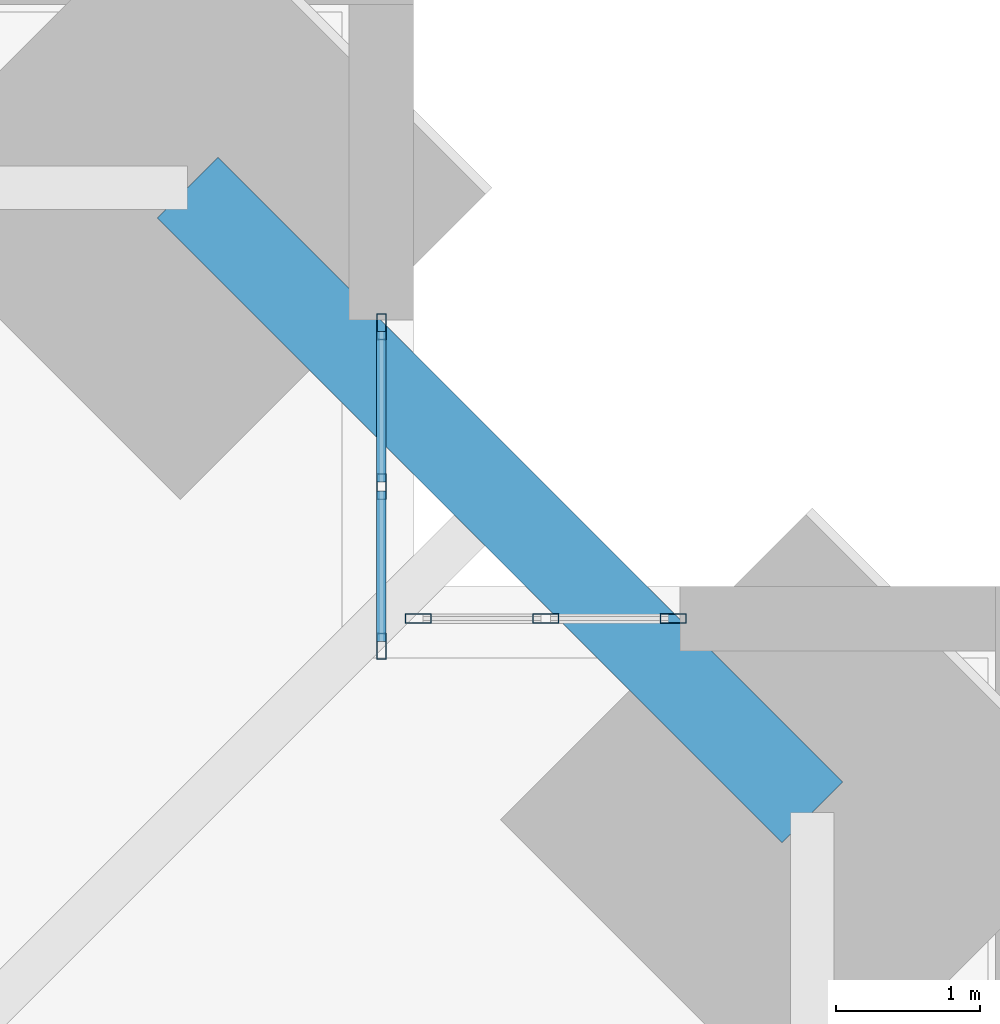
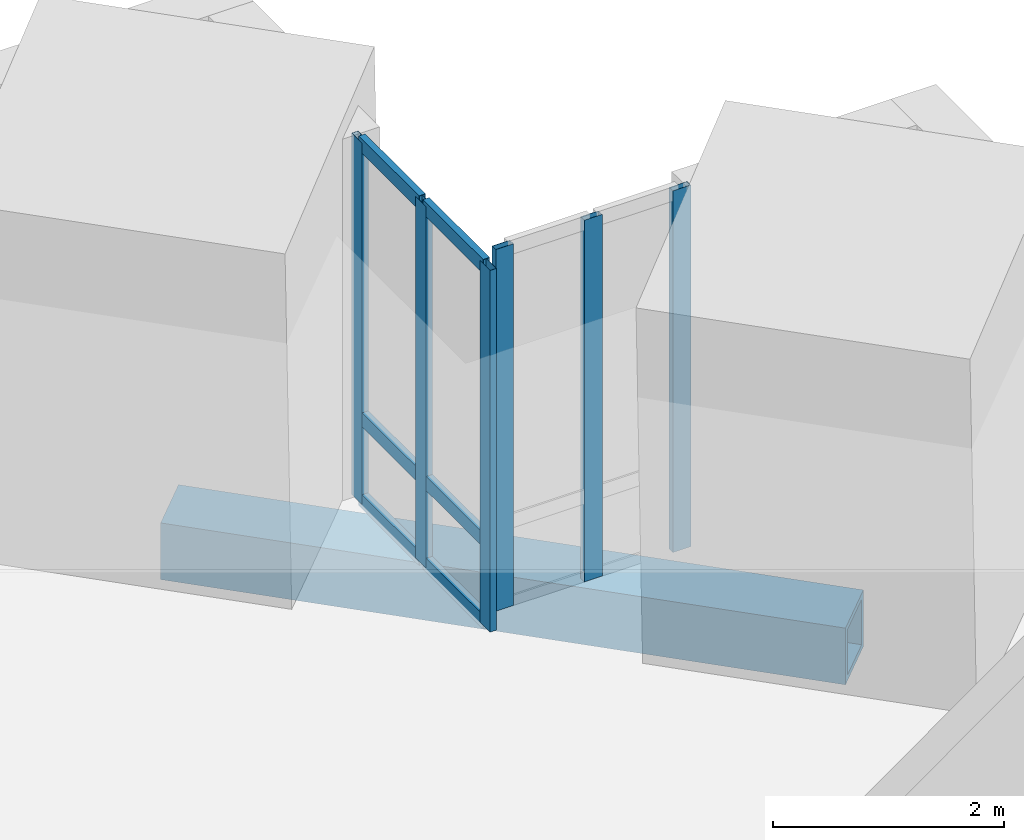
# One storey, part 8 of 15: 12 members, 1 beam, 2 elements without a shape of their own.
"""IFC4 building model written with IfcOpenShell, lengths in metres."""

from ifc_helpers import new_model, si_unit, direction, frame, origin, origin_2d, place, context, subcontext, project, spatial, hollow_rectangle, extrude, material, material_profile, profile_set, type_object, element, aggregate, save


model = new_model("IFC4")

# Units and contexts
model_context = context("Model", 3, precision=1e-05, world=origin(), true_north=direction((0.0, 1.0)))
body_context = subcontext(model_context, "Body", "Model", "MODEL_VIEW")
ifc_project = project(units=[si_unit("LENGTHUNIT", "METRE"), si_unit("AREAUNIT", "SQUARE_METRE"), si_unit("VOLUMEUNIT", "CUBIC_METRE"), si_unit("PLANEANGLEUNIT", "RADIAN"), si_unit("MASSUNIT", "GRAM", prefix="KILO")], contexts=[model_context])

# Site, building, storey
site_placement = place(None, origin())
site = spatial("IfcSite", under=ifc_project, at=site_placement, CompositionType="ELEMENT")
building_placement = place(site_placement, origin())
building = spatial("IfcBuilding", under=site, at=building_placement, Name="Peilmerk Tower", CompositionType="ELEMENT")
storey_placement = place(building_placement, frame((0.0, 0.0, 213.800048828125)))
storey = spatial("IfcBuildingStorey", under=building, at=storey_placement, Name="L46", CompositionType="ELEMENT", Elevation=213.800048828125)

# Beam
ifc_material_1 = material(Name="Steel S460", Category="steel")
ifc_material_profile_1 = material_profile(ifc_material_1, hollow_rectangle(XDim=0.60009765625, YDim=0.60009765625, WallThickness=0.06005859375, at=origin_2d()), Name="BOX 600x600x60")
ifc_profile_set_1 = profile_set([ifc_material_profile_1], Name="Steel S460")
beam_type = type_object("IfcBeamType", Name="B20 BOX 600x600x60 notch beam", PredefinedType="SPANDREL", material=ifc_profile_set_1)
beam_placement = place(storey_placement, frame((17.92578125, 22.27587890625, -0.469970703125), z_axis=(0.707106781187, -0.707106781187, 0.0), x_axis=(0.707106781187, 0.707106781187, 0.0)))
element("IfcBeam", 1, at=beam_placement, inside=storey, type_object=beam_type, Name="Notch beam L46", PredefinedType="SPANDREL", context=body_context, shape_type="SweptSolid", body=[
    extrude(hollow_rectangle(XDim=0.60009765625, YDim=0.60009765625, WallThickness=0.06005859375, at=origin_2d()), origin(), (0.0, 0.0, 1.0), 6.15185546875),
])

# Curtain wall, members
ifc_material_2 = material(Name="Aluminium stick curtain wall", Category="aluminium")
curtain_wall_type = type_object("IfcCurtainWallType", Name="CW4 stick curtain wall, 2250 module", PredefinedType="NOTDEFINED", material=ifc_material_2)
curtain_wall_1_placement = place(storey_placement, origin())
curtain_wall_1 = element("IfcCurtainWall", 2, at=curtain_wall_1_placement, inside=storey, type_object=curtain_wall_type, Name="Curtain wall CW4 NEA L46", PredefinedType="NOTDEFINED")
ifc_material_3 = material(Name="Aluminium EN AW-6063 T6", Category="aluminium")
ifc_material_profile_2 = material_profile(ifc_material_3, hollow_rectangle(XDim=0.06494140625, YDim=0.179931640625, WallThickness=0.0029296875, at=origin_2d()), Name="AL 180x65x3")
ifc_profile_set_2 = profile_set([ifc_material_profile_2], Name="Aluminium EN AW-6063 T6")
member_type_1 = type_object("IfcMemberType", Name="CW4-M AL 180x65x3 mullion", PredefinedType="MULLION", material=ifc_profile_set_2)
member_1_placement = place(storey_placement, frame((19.27490234375, 19.08251953125, 0.0), z_axis=(0.0, 0.0, 1.0), x_axis=(-1.0, 0.0, 0.0)))
member_1 = element("IfcMember", 3, at=member_1_placement, type_object=member_type_1, Name="CW4 mullion 1", PredefinedType="MULLION", context=body_context, shape_type="SweptSolid", body=[
    extrude(hollow_rectangle(XDim=0.06494140625, YDim=0.179931640625, WallThickness=0.0029296875, at=origin_2d()), origin(), (0.0, 0.0, 1.0), 3.829833984375),
])
member_2_placement = place(storey_placement, frame((19.27490234375, 20.1943359375, 0.0), z_axis=(0.0, 0.0, 1.0), x_axis=(-1.0, 0.0, 0.0)))
member_2 = element("IfcMember", 4, at=member_2_placement, type_object=member_type_1, Name="CW4 mullion 2", PredefinedType="MULLION", context=body_context, shape_type="SweptSolid", body=[
    extrude(hollow_rectangle(XDim=0.06494140625, YDim=0.179931640625, WallThickness=0.0029296875, at=origin_2d()), origin(), (0.0, 0.0, 1.0), 3.829833984375),
])
member_3_placement = place(storey_placement, frame((19.27490234375, 21.30615234375, 0.0), z_axis=(0.0, 0.0, 1.0), x_axis=(-1.0, 0.0, 0.0)))
member_3 = element("IfcMember", 5, at=member_3_placement, type_object=member_type_1, Name="CW4 mullion 3", PredefinedType="MULLION", context=body_context, shape_type="SweptSolid", body=[
    extrude(hollow_rectangle(XDim=0.06494140625, YDim=0.179931640625, WallThickness=0.0029296875, at=origin_2d()), origin(), (0.0, 0.0, 1.0), 3.829833984375),
])

curtain_wall_2_placement = place(storey_placement, origin())
curtain_wall_2 = element("IfcCurtainWall", 6, at=curtain_wall_2_placement, inside=storey, type_object=curtain_wall_type, Name="Curtain wall CW4 NEB L46", PredefinedType="NOTDEFINED")
member_4_placement = place(storey_placement, frame((19.532470703125, 19.27490234375, 0.0), z_axis=(0.0, 0.0, 1.0), x_axis=(0.0, 1.0, 0.0)))
member_4 = element("IfcMember", 7, at=member_4_placement, type_object=member_type_1, Name="CW4 mullion 1", PredefinedType="MULLION", context=body_context, shape_type="SweptSolid", body=[
    extrude(hollow_rectangle(XDim=0.06494140625, YDim=0.179931640625, WallThickness=0.0029296875, at=origin_2d()), origin(), (0.0, 0.0, 1.0), 3.829833984375),
])
member_5_placement = place(storey_placement, frame((20.41943359375, 19.27490234375, 0.0), z_axis=(0.0, 0.0, 1.0), x_axis=(0.0, 1.0, 0.0)))
member_5 = element("IfcMember", 8, at=member_5_placement, type_object=member_type_1, Name="CW4 mullion 2", PredefinedType="MULLION", context=body_context, shape_type="SweptSolid", body=[
    extrude(hollow_rectangle(XDim=0.06494140625, YDim=0.179931640625, WallThickness=0.0029296875, at=origin_2d()), origin(), (0.0, 0.0, 1.0), 3.829833984375),
])
member_6_placement = place(storey_placement, frame((21.30615234375, 19.27490234375, 0.0), z_axis=(0.0, 0.0, 1.0), x_axis=(0.0, 1.0, 0.0)))
member_6 = element("IfcMember", 9, at=member_6_placement, type_object=member_type_1, Name="CW4 mullion 3", PredefinedType="MULLION", context=body_context, shape_type="SweptSolid", body=[
    extrude(hollow_rectangle(XDim=0.06494140625, YDim=0.179931640625, WallThickness=0.0029296875, at=origin_2d()), origin(), (0.0, 0.0, 1.0), 3.829833984375),
])
aggregate(curtain_wall_2, [member_4, member_5, member_6])

# Member
ifc_material_profile_3 = material_profile(ifc_material_3, hollow_rectangle(XDim=0.06494140625, YDim=0.14990234375, WallThickness=0.0029296875, at=origin_2d()), Name="AL 150x65x3")
ifc_profile_set_3 = profile_set([ifc_material_profile_3], Name="Aluminium EN AW-6063 T6")
member_type_2 = type_object("IfcMemberType", Name="CW4-T AL 150x65x3 transom", PredefinedType="USERDEFINED", material=ifc_profile_set_3)
member_7_placement = place(storey_placement, frame((19.27490234375, 19.114990234375, 0.032470703125), z_axis=(0.0, 1.0, 0.0), x_axis=(-1.0, 0.0, 0.0)))
member_7 = element("IfcMember", 10, at=member_7_placement, type_object=member_type_2, Name="CW4 transom 1.1", ObjectType="TRANSOM", PredefinedType="USERDEFINED", context=body_context, shape_type="SweptSolid", body=[
    extrude(hollow_rectangle(XDim=0.06494140625, YDim=0.14990234375, WallThickness=0.0029296875, at=origin_2d()), origin(), (0.0, 0.0, 1.0), 1.046875),
])

member_8_placement = place(storey_placement, frame((19.27490234375, 19.114990234375, 0.89990234375), z_axis=(0.0, 1.0, 0.0), x_axis=(-1.0, 0.0, 0.0)))
member_8 = element("IfcMember", 11, at=member_8_placement, type_object=member_type_2, Name="CW4 transom 1.2", ObjectType="TRANSOM", PredefinedType="USERDEFINED", context=body_context, shape_type="SweptSolid", body=[
    extrude(hollow_rectangle(XDim=0.06494140625, YDim=0.14990234375, WallThickness=0.0029296875, at=origin_2d()), origin(), (0.0, 0.0, 1.0), 1.046875),
])

member_9_placement = place(storey_placement, frame((19.27490234375, 19.114990234375, 3.79736328125), z_axis=(0.0, 1.0, 0.0), x_axis=(-1.0, 0.0, 0.0)))
member_9 = element("IfcMember", 12, at=member_9_placement, type_object=member_type_2, Name="CW4 transom 1.3", ObjectType="TRANSOM", PredefinedType="USERDEFINED", context=body_context, shape_type="SweptSolid", body=[
    extrude(hollow_rectangle(XDim=0.06494140625, YDim=0.14990234375, WallThickness=0.0029296875, at=origin_2d()), origin(), (0.0, 0.0, 1.0), 1.046875),
])

member_10_placement = place(storey_placement, frame((19.27490234375, 20.226806640625, 0.032470703125), z_axis=(0.0, 1.0, 0.0), x_axis=(-1.0, 0.0, 0.0)))
member_10 = element("IfcMember", 13, at=member_10_placement, type_object=member_type_2, Name="CW4 transom 2.1", ObjectType="TRANSOM", PredefinedType="USERDEFINED", context=body_context, shape_type="SweptSolid", body=[
    extrude(hollow_rectangle(XDim=0.06494140625, YDim=0.14990234375, WallThickness=0.0029296875, at=origin_2d()), origin(), (0.0, 0.0, 1.0), 1.046875),
])

member_11_placement = place(storey_placement, frame((19.27490234375, 20.226806640625, 0.89990234375), z_axis=(0.0, 1.0, 0.0), x_axis=(-1.0, 0.0, 0.0)))
member_11 = element("IfcMember", 14, at=member_11_placement, type_object=member_type_2, Name="CW4 transom 2.2", ObjectType="TRANSOM", PredefinedType="USERDEFINED", context=body_context, shape_type="SweptSolid", body=[
    extrude(hollow_rectangle(XDim=0.06494140625, YDim=0.14990234375, WallThickness=0.0029296875, at=origin_2d()), origin(), (0.0, 0.0, 1.0), 1.046875),
])

member_12_placement = place(storey_placement, frame((19.27490234375, 20.226806640625, 3.79736328125), z_axis=(0.0, 1.0, 0.0), x_axis=(-1.0, 0.0, 0.0)))
member_12 = element("IfcMember", 15, at=member_12_placement, type_object=member_type_2, Name="CW4 transom 2.3", ObjectType="TRANSOM", PredefinedType="USERDEFINED", context=body_context, shape_type="SweptSolid", body=[
    extrude(hollow_rectangle(XDim=0.06494140625, YDim=0.14990234375, WallThickness=0.0029296875, at=origin_2d()), origin(), (0.0, 0.0, 1.0), 1.046875),
])

aggregate(curtain_wall_1, [member_1, member_2, member_3, member_7, member_8, member_9, member_10, member_11, member_12])

save(model, "model.ifc")
